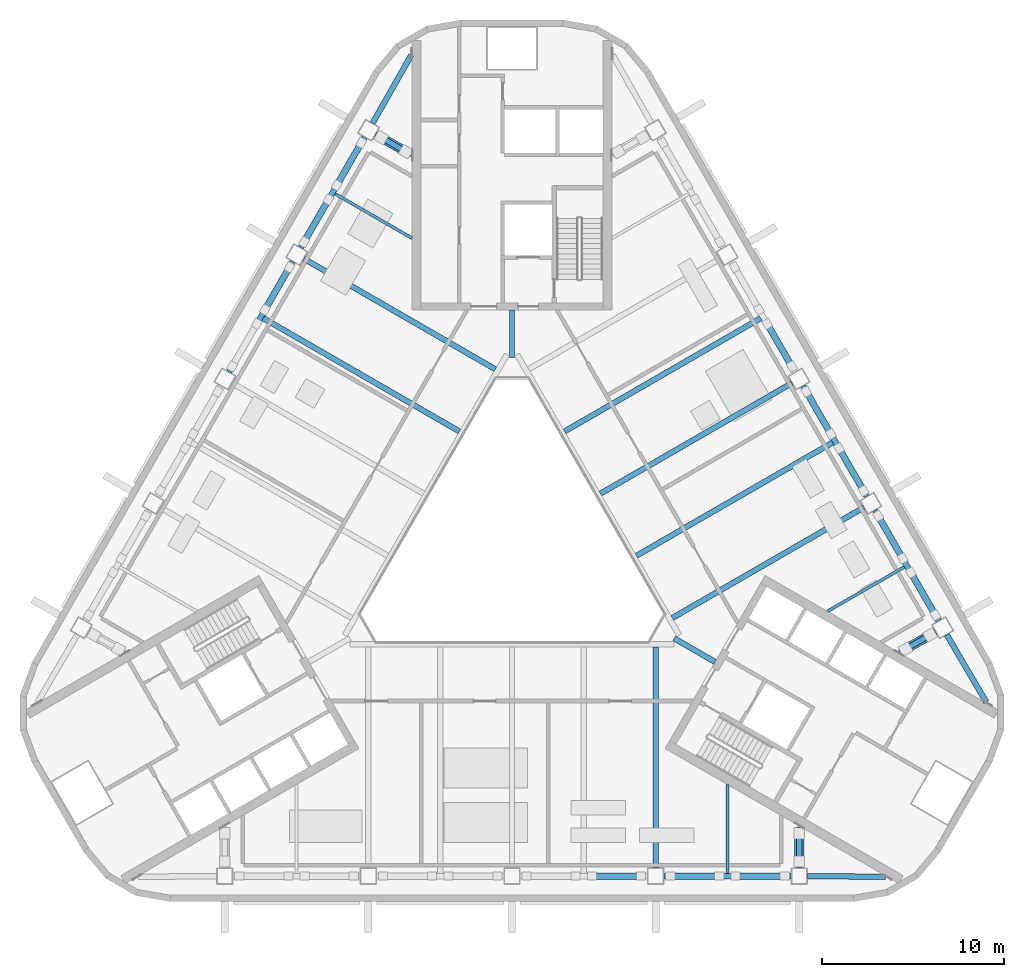
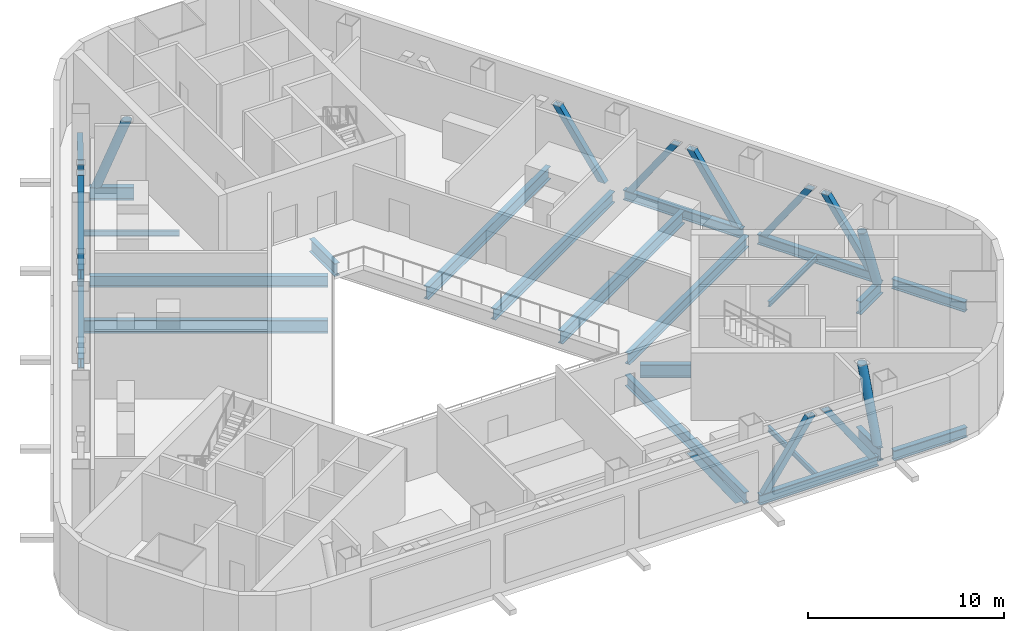
# One storey, part 2 of 15: 25 members, 12 beams.
"""IFC4 building model written with IfcOpenShell, lengths in metres."""

from ifc_helpers import new_model, si_unit, direction, frame, origin, origin_2d, place, context, subcontext, project, spatial, hollow_rectangle, hollow_circle, i_section, extrude, boolean, halfspace, material, material_profile, profile_set, type_object, element, save


model = new_model("IFC4")

# Units and contexts
model_context = context("Model", 3, precision=1e-05, world=origin(), true_north=direction((0.0, 1.0)))
body_context = subcontext(model_context, "Body", "Model", "MODEL_VIEW")
ifc_project = project(units=[si_unit("LENGTHUNIT", "METRE"), si_unit("AREAUNIT", "SQUARE_METRE"), si_unit("VOLUMEUNIT", "CUBIC_METRE"), si_unit("PLANEANGLEUNIT", "RADIAN"), si_unit("MASSUNIT", "GRAM", prefix="KILO")], contexts=[model_context])

# Site, building, storey
site_placement = place(None, origin())
site = spatial("IfcSite", under=ifc_project, at=site_placement, CompositionType="ELEMENT")
building_placement = place(site_placement, origin())
building = spatial("IfcBuilding", under=site, at=building_placement, Name="Apuvela Tower Hotel", CompositionType="ELEMENT")
storey_placement = place(building_placement, frame((0.0, 0.0, 137.60009765625)))
storey = spatial("IfcBuildingStorey", under=building, at=storey_placement, Name="L32 Plant", CompositionType="ELEMENT", Elevation=137.60009765625)

# Beams
ifc_material = material(Name="Steel S355", Category="steel")
ifc_material_profile_1 = material_profile(ifc_material, i_section(OverallWidth=0.300048828125, OverallDepth=0.68994140625, WebThickness=0.014404296875, FlangeThickness=0.027099609375, at=origin_2d()), Name="HE 700 A")
ifc_profile_set_1 = profile_set([ifc_material_profile_1], Name="Steel S355")
beam_type_1 = type_object("IfcBeamType", Name="STR-B floor beam HE 700 A", PredefinedType="BEAM", material=ifc_profile_set_1)
for number, where, z_axis, x_axis, name in (
    (1, (19.347900390625, 2.04833984375, -0.64501953125), (-0.866028751965, -0.499994200737, 0.0), (0.499994200737, -0.866028751965, 0.0), "Floor beam B6 NE3"),
    (2, (15.39794921875, 8.889892578125, -0.64501953125), (-0.866028751965, -0.499994200737, 0.0), (0.499994200737, -0.866028751965, 0.0), "Floor beam B6 NE5"),
):
    element("IfcBeam", number, at=place(storey_placement, frame(where, z_axis=z_axis, x_axis=x_axis)), inside=storey, type_object=beam_type_1, Name=name, PredefinedType="BEAM", context=body_context, shape_type="SweptSolid", body=[
        extrude(i_section(OverallWidth=0.300048828125, OverallDepth=0.68994140625, WebThickness=0.014404296875, FlangeThickness=0.027099609375, at=origin_2d()), origin(), (0.0, 0.0, 1.0), 12.157958984375),
    ])
beam_1_placement = place(storey_placement, frame((-11.447998046875, 15.731689453125, -0.64501953125), z_axis=(0.866025076934, -0.500000566121, 0.0), x_axis=(0.500000566121, 0.866025076934, 0.0)))
element("IfcBeam", 3, at=beam_1_placement, inside=storey, type_object=beam_type_1, Name="Floor beam B6 NW3", PredefinedType="BEAM", context=body_context, shape_type="SweptSolid", body=[
    extrude(i_section(OverallWidth=0.300048828125, OverallDepth=0.68994140625, WebThickness=0.014404296875, FlangeThickness=0.027099609375, at=origin_2d()), origin(), (0.0, 0.0, 1.0), 12.158203125),
])
beam_2_placement = place(storey_placement, frame((7.89990234375, -17.780029296875, -0.64501953125), z_axis=(0.0, 1.0, 0.0), x_axis=(-1.0, 0.0, 0.0)))
element("IfcBeam", 4, at=beam_2_placement, inside=storey, type_object=beam_type_1, Name="Floor beam B6 S7", PredefinedType="BEAM", context=body_context, shape_type="SweptSolid", body=[
    extrude(i_section(OverallWidth=0.300048828125, OverallDepth=0.68994140625, WebThickness=0.014404296875, FlangeThickness=0.027099609375, at=origin_2d()), origin(), (0.0, 0.0, 1.0), 12.157958984375),
])
ifc_material_profile_2 = material_profile(ifc_material, i_section(OverallWidth=0.300048828125, OverallDepth=0.7900390625, WebThickness=0.014892578125, FlangeThickness=0.028076171875, at=origin_2d()), Name="HE 800 A")
ifc_profile_set_2 = profile_set([ifc_material_profile_2], Name="Steel S355")
beam_type_2 = type_object("IfcBeamType", Name="STR-B floor beam HE 800 A", PredefinedType="BEAM", material=ifc_profile_set_2)
beam_3_placement = place(storey_placement, frame((17.630615234375, 5.617919921875, -0.695068359375), z_axis=(-0.866025971963, -0.499999015884, 0.0), x_axis=(0.499999015884, -0.866025971963, 0.0)))
element("IfcBeam", 5, at=beam_3_placement, inside=storey, type_object=beam_type_2, Name="Floor beam B5 NE4", PredefinedType="BEAM", context=body_context, shape_type="SweptSolid", body=[
    extrude(i_section(OverallWidth=0.300048828125, OverallDepth=0.7900390625, WebThickness=0.014892578125, FlangeThickness=0.028076171875, at=origin_2d()), origin(), (0.0, 0.0, 1.0), 12.45556640625),
])
for number, where, z_axis, x_axis, name in (
    (6, (13.6806640625, 12.459716796875, -0.695068359375), (-0.8660174845, -0.500013716352, 0.0), (0.500013716352, -0.8660174845, 0.0), "Floor beam B5 NE6"),
    (7, (-13.6806640625, 12.459716796875, -0.695068359375), (0.8660174845, -0.500013716352, 0.0), (0.500013716352, 0.8660174845, 0.0), "Floor beam B5 NW4"),
):
    element("IfcBeam", number, at=place(storey_placement, frame(where, z_axis=z_axis, x_axis=x_axis)), inside=storey, type_object=beam_type_2, Name=name, PredefinedType="BEAM", context=body_context, shape_type="SweptSolid", body=[
        extrude(i_section(OverallWidth=0.300048828125, OverallDepth=0.7900390625, WebThickness=0.014892578125, FlangeThickness=0.028076171875, at=origin_2d()), origin(), (0.0, 0.0, 1.0), 12.455810546875),
    ])
ifc_material_profile_3 = material_profile(ifc_material, i_section(OverallWidth=0.159912109375, OverallDepth=0.330078125, WebThickness=0.007568359375, FlangeThickness=0.011474609375, at=origin_2d()), Name="IPE 330")
ifc_profile_set_3 = profile_set([ifc_material_profile_3], Name="Steel S355")
beam_type_3 = type_object("IfcBeamType", Name="STR-B floor beam IPE 330", PredefinedType="BEAM", material=ifc_profile_set_3)
beam_4_placement = place(storey_placement, frame((21.58056640625, -1.2236328125, -0.465087890625), z_axis=(-0.866010805854, -0.500025283505, 0.0), x_axis=(0.500025283505, -0.866010805854, 0.0)))
element("IfcBeam", 8, at=beam_4_placement, inside=storey, type_object=beam_type_3, Name="Floor beam B1 NE2", PredefinedType="BEAM", context=body_context, shape_type="SweptSolid", body=[
    extrude(i_section(OverallWidth=0.159912109375, OverallDepth=0.330078125, WebThickness=0.007568359375, FlangeThickness=0.011474609375, at=origin_2d()), origin(), (0.0, 0.0, 1.0), 4.885009765625),
])
beam_5_placement = place(storey_placement, frame((-9.730712890625, 19.30126953125, -0.465087890625), z_axis=(0.866023300691, -0.500003642646, 0.0), x_axis=(0.500003642646, 0.866023300691, 0.0)))
element("IfcBeam", 9, at=beam_5_placement, inside=storey, type_object=beam_type_3, Name="Floor beam B1 NW2", PredefinedType="BEAM", context=body_context, shape_type="SweptSolid", body=[
    extrude(i_section(OverallWidth=0.159912109375, OverallDepth=0.330078125, WebThickness=0.007568359375, FlangeThickness=0.011474609375, at=origin_2d()), origin(), (0.0, 0.0, 1.0), 4.88525390625),
])
beam_6_placement = place(storey_placement, frame((11.85009765625, -18.077392578125, -0.465087890625), z_axis=(0.0, 1.0, 0.0), x_axis=(-1.0, 0.0, 0.0)))
element("IfcBeam", 10, at=beam_6_placement, inside=storey, type_object=beam_type_3, Name="Floor beam B1 S8", PredefinedType="BEAM", context=body_context, shape_type="SweptSolid", body=[
    extrude(i_section(OverallWidth=0.159912109375, OverallDepth=0.330078125, WebThickness=0.007568359375, FlangeThickness=0.011474609375, at=origin_2d()), origin(), (0.0, 0.0, 1.0), 4.885009765625),
])
ifc_material_profile_4 = material_profile(ifc_material, i_section(OverallWidth=0.300048828125, OverallDepth=0.800048828125, WebThickness=0.017578125, FlangeThickness=0.032958984375, at=origin_2d()), Name="HE 800 B")
ifc_profile_set_4 = profile_set([ifc_material_profile_4], Name="Steel S355")
beam_type_4 = type_object("IfcBeamType", Name="STR-GT core tie beam HE 800 B", PredefinedType="BEAM", material=ifc_profile_set_4)
for number, where, z_axis, x_axis, name in (
    (11, (0.0, 12.89990234375, -0.7001953125), (0.0, -1.0, 0.0), (1.0, 0.0, 0.0), "Core tie beam GT1 N"),
    (12, (11.171630859375, -6.449951171875, -0.7001953125), (-0.865997922154, 0.500047596559, 0.0), (-0.500047596559, -0.865997922154, 0.0), "Core tie beam GT1 SE"),
):
    element("IfcBeam", number, at=place(storey_placement, frame(where, z_axis=z_axis, x_axis=x_axis)), inside=storey, type_object=beam_type_4, Name=name, PredefinedType="BEAM", context=body_context, shape_type="SweptSolid", body=[
        extrude(i_section(OverallWidth=0.300048828125, OverallDepth=0.800048828125, WebThickness=0.017578125, FlangeThickness=0.032958984375, at=origin_2d()), origin(), (0.0, 0.0, 1.0), 2.599853515625),
    ])

# Members
ifc_material_profile_5 = material_profile(ifc_material, i_section(OverallWidth=0.304931640625, OverallDepth=0.6201171875, WebThickness=0.02099609375, FlangeThickness=0.0400390625, at=origin_2d()), Name="HE 600 M")
ifc_profile_set_5 = profile_set([ifc_material_profile_5], Name="Steel S355")
member_type_1 = type_object("IfcMemberType", Name="STR-T1 belt truss chord HE 600 M", PredefinedType="CHORD", material=ifc_profile_set_5)
for number, where, z_axis, x_axis, name in (
    (13, (8.35009765625, -18.22998046875, -0.610107421875), (1.0, 0.0, 0.0), (0.0, 1.0, 0.0), "Belt chord BT2 S4"),
    (14, (23.462646484375, -4.178466796875, -0.610107421875), (-0.499995173006, 0.866028190633, 0.0), (-0.866028190633, -0.499995173006, 0.0), "Belt chord BT2 NE1"),
    (15, (19.5126953125, 2.6630859375, -0.610107421875), (-0.499995173006, 0.866028190633, 0.0), (-0.866028190633, -0.499995173006, 0.0), "Belt chord BT2 NE2"),
    (16, (-8.112548828125, 22.408447265625, -0.610107421875), (-0.499995173006, -0.866028190633, 0.0), (0.866028190633, -0.499995173006, 0.0), "Belt chord BT2 NW1"),
    (17, (-12.0625, 15.56689453125, -0.610107421875), (-0.499995173006, -0.866028190633, 0.0), (0.866028190633, -0.499995173006, 0.0), "Belt chord BT2 NW2"),
):
    element("IfcMember", number, at=place(storey_placement, frame(where, z_axis=z_axis, x_axis=x_axis)), inside=storey, type_object=member_type_1, Name=name, PredefinedType="CHORD", context=body_context, shape_type="SweptSolid", body=[
        extrude(i_section(OverallWidth=0.304931640625, OverallDepth=0.6201171875, WebThickness=0.02099609375, FlangeThickness=0.0400390625, at=origin_2d()), origin(), (0.0, 0.0, 1.0), 7.0),
    ])
member_1_placement = place(storey_placement, frame((16.25, -18.233154296875, -0.610107421875), z_axis=(0.999976421641, -0.006867034451, 0.0), x_axis=(0.006867034451, 0.999976421641, 0.0)))
element("IfcMember", 18, at=member_1_placement, inside=storey, type_object=member_type_1, Name="Belt chord BT2 S5-SE", PredefinedType="CHORD", context=body_context, shape_type="SweptSolid", body=[
    extrude(i_section(OverallWidth=0.304931640625, OverallDepth=0.6201171875, WebThickness=0.02099609375, FlangeThickness=0.0400390625, at=origin_2d()), origin(), (0.0, 0.0, 1.0), 4.3017578125),
])
member_2_placement = place(storey_placement, frame((23.915283203125, -4.956298828125, -0.610107421875), z_axis=(0.505940864677, -0.862568166263, 0.0), x_axis=(0.862568166263, 0.505940864677, 0.0)))
element("IfcMember", 19, at=member_2_placement, inside=storey, type_object=member_type_1, Name="Belt chord BT2 NE1-SE", PredefinedType="CHORD", context=body_context, shape_type="SweptSolid", body=[
    extrude(i_section(OverallWidth=0.304931640625, OverallDepth=0.6201171875, WebThickness=0.02099609375, FlangeThickness=0.0400390625, at=origin_2d()), origin(), (0.0, 0.0, 1.0), 4.302001953125),
])
member_3_placement = place(storey_placement, frame((-7.665283203125, 23.189453125, -0.610107421875), z_axis=(0.494028908476, 0.869445477066, 0.0), x_axis=(-0.869445477066, 0.494028908476, 0.0)))
element("IfcMember", 20, at=member_3_placement, inside=storey, type_object=member_type_1, Name="Belt chord BT2 NW1-N", PredefinedType="CHORD", context=body_context, shape_type="SweptSolid", body=[
    extrude(i_section(OverallWidth=0.304931640625, OverallDepth=0.6201171875, WebThickness=0.02099609375, FlangeThickness=0.0400390625, at=origin_2d()), origin(), (0.0, 0.0, 1.0), 4.3017578125),
])
ifc_material_profile_6 = material_profile(ifc_material, hollow_rectangle(XDim=0.35009765625, YDim=0.35009765625, WallThickness=0.01611328125, at=origin_2d()), Name="SHS 350x350x16")
ifc_profile_set_6 = profile_set([ifc_material_profile_6], Name="Steel S355")
member_type_2 = type_object("IfcMemberType", Name="STR-T1 belt truss diagonal SHS 350x350x16", PredefinedType="BRACE", material=ifc_profile_set_6)
member_4_placement = place(storey_placement, frame((7.10009765625, -18.22998046875, -0.300048828125), z_axis=(-0.568261128078, 0.0, 0.822848279038), x_axis=(0.822848279038, 0.0, 0.568261128078)))
solid_1 = boolean("DIFFERENCE", boolean("DIFFERENCE", extrude(hollow_rectangle(XDim=0.35009765625, YDim=0.35009765625, WallThickness=0.01611328125, at=origin_2d()), frame((0.0, 0.0, -0.24072265625)), (0.0, 0.0, 1.0), 5.2333984375), halfspace(frame((0.0, 0.0, 0.024169921875), z_axis=(0.568261128078, 0.0, 0.822848279038), x_axis=(0.822848279038, 0.0, -0.568261128078)), True)), halfspace(frame((0.0, 0.0, 4.7275390625), z_axis=(0.568261128078, 0.0, 0.822848279038), x_axis=(0.822848279038, 0.0, -0.568261128078)), False))
element("IfcMember", 21, at=member_4_placement, inside=storey, type_object=member_type_2, Name="Belt truss diagonal BR2 S3", PredefinedType="BRACE", context=body_context, shape_type="SweptSolid", body=[
    boolean("UNION", boolean("DIFFERENCE", boolean("DIFFERENCE", extrude(hollow_rectangle(XDim=0.35009765625, YDim=0.35009765625, WallThickness=0.01611328125, at=origin_2d()), origin(), (0.0, 0.0, 1.0), 4.751708984375), halfspace(frame((0.0, 0.0, 0.024169921875), z_axis=(0.568261128078, 0.0, 0.822848279038), x_axis=(0.822848279038, 0.0, -0.568261128078)), True)), halfspace(frame((0.0, 0.0, 4.7275390625), z_axis=(0.568261128078, 0.0, 0.822848279038), x_axis=(0.822848279038, 0.0, -0.568261128078)), False)), solid_1),
])
member_5_placement = place(storey_placement, frame((8.699951171875, -18.22998046875, -0.300048828125), z_axis=(0.568226338322, 0.0, 0.822872303846), x_axis=(-0.822872303846, 0.0, 0.568226338322)))
solid_2 = boolean("DIFFERENCE", boolean("DIFFERENCE", extrude(hollow_rectangle(XDim=0.35009765625, YDim=0.35009765625, WallThickness=0.01611328125, at=origin_2d()), frame((0.0, 0.0, -0.24072265625)), (0.0, 0.0, 1.0), 5.233154296875), halfspace(frame((0.0, 0.0, 0.024169921875), z_axis=(0.568226338322, 0.0, 0.822872303846), x_axis=(0.822872303846, 0.0, -0.568226338322)), True)), halfspace(frame((0.0, 0.0, 4.727294921875), z_axis=(0.568226338322, 0.0, 0.822872303846), x_axis=(0.822872303846, 0.0, -0.568226338322)), False))
element("IfcMember", 22, at=member_5_placement, inside=storey, type_object=member_type_2, Name="Belt truss diagonal BR2 S4", PredefinedType="BRACE", context=body_context, shape_type="SweptSolid", body=[
    boolean("UNION", boolean("DIFFERENCE", boolean("DIFFERENCE", extrude(hollow_rectangle(XDim=0.35009765625, YDim=0.35009765625, WallThickness=0.01611328125, at=origin_2d()), origin(), (0.0, 0.0, 1.0), 4.75146484375), halfspace(frame((0.0, 0.0, 0.024169921875), z_axis=(0.568226338322, 0.0, 0.822872303846), x_axis=(0.822872303846, 0.0, -0.568226338322)), True)), halfspace(frame((0.0, 0.0, 4.727294921875), z_axis=(0.568226338322, 0.0, 0.822872303846), x_axis=(0.822872303846, 0.0, -0.568226338322)), False)), solid_2),
])
member_6_placement = place(storey_placement, frame((15.0, -18.22998046875, -0.300048828125), z_axis=(-0.568226338322, 0.0, 0.822872303846), x_axis=(0.822872303846, 0.0, 0.568226338322)))
solid_3 = boolean("DIFFERENCE", boolean("DIFFERENCE", extrude(hollow_rectangle(XDim=0.35009765625, YDim=0.35009765625, WallThickness=0.01611328125, at=origin_2d()), frame((0.0, 0.0, -0.24072265625)), (0.0, 0.0, 1.0), 5.233154296875), halfspace(frame((0.0, 0.0, 0.024169921875), z_axis=(0.568226338322, 0.0, 0.822872303846), x_axis=(0.822872303846, 0.0, -0.568226338322)), True)), halfspace(frame((0.0, 0.0, 4.727294921875), z_axis=(0.568226338322, 0.0, 0.822872303846), x_axis=(0.822872303846, 0.0, -0.568226338322)), False))
element("IfcMember", 23, at=member_6_placement, inside=storey, type_object=member_type_2, Name="Belt truss diagonal BR2 S4", PredefinedType="BRACE", context=body_context, shape_type="SweptSolid", body=[
    boolean("UNION", boolean("DIFFERENCE", boolean("DIFFERENCE", extrude(hollow_rectangle(XDim=0.35009765625, YDim=0.35009765625, WallThickness=0.01611328125, at=origin_2d()), origin(), (0.0, 0.0, 1.0), 4.75146484375), halfspace(frame((0.0, 0.0, 0.024169921875), z_axis=(0.568226338322, 0.0, 0.822872303846), x_axis=(0.822872303846, 0.0, -0.568226338322)), True)), halfspace(frame((0.0, 0.0, 4.727294921875), z_axis=(0.568226338322, 0.0, 0.822872303846), x_axis=(0.822872303846, 0.0, -0.568226338322)), False)), solid_3),
])
member_7_placement = place(storey_placement, frame((23.28759765625, -3.87548828125, -0.300048828125), z_axis=(-0.284132295223, 0.492119190533, 0.822853292586), x_axis=(0.411434409305, -0.712607372934, 0.568253868337)))
solid_4 = boolean("DIFFERENCE", boolean("DIFFERENCE", extrude(hollow_rectangle(XDim=0.35009765625, YDim=0.35009765625, WallThickness=0.01611328125, at=origin_2d()), frame((0.0, 0.0, -0.24072265625)), (0.0, 0.0, 1.0), 5.233154296875), halfspace(frame((0.0, 0.0, 0.024169921875), z_axis=(0.568253868337, 0.0, 0.822853292586), x_axis=(0.822853292586, 0.0, -0.568253868337)), True)), halfspace(frame((0.0, 0.0, 4.727294921875), z_axis=(0.568253868337, 0.0, 0.822853292586), x_axis=(0.822853292586, 0.0, -0.568253868337)), False))
element("IfcMember", 24, at=member_7_placement, inside=storey, type_object=member_type_2, Name="Belt truss diagonal BR2 NE1", PredefinedType="BRACE", context=body_context, shape_type="SweptSolid", body=[
    boolean("UNION", boolean("DIFFERENCE", boolean("DIFFERENCE", extrude(hollow_rectangle(XDim=0.35009765625, YDim=0.35009765625, WallThickness=0.01611328125, at=origin_2d()), origin(), (0.0, 0.0, 1.0), 4.751708984375), halfspace(frame((0.0, 0.0, 0.024169921875), z_axis=(0.568253868337, 0.0, 0.822853292586), x_axis=(0.822853292586, 0.0, -0.568253868337)), True)), halfspace(frame((0.0, 0.0, 4.727294921875), z_axis=(0.568253868337, 0.0, 0.822853292586), x_axis=(0.822853292586, 0.0, -0.568253868337)), False)), solid_4),
])
member_8_placement = place(storey_placement, frame((20.1376953125, 1.58056640625, -0.300048828125), z_axis=(0.284085062007, -0.492126374373, 0.822865304404), x_axis=(-0.411384611104, 0.712649991888, 0.568236474374)))
solid_5 = boolean("DIFFERENCE", boolean("DIFFERENCE", extrude(hollow_rectangle(XDim=0.35009765625, YDim=0.35009765625, WallThickness=0.01611328125, at=origin_2d()), frame((0.0, 0.0, -0.24072265625)), (0.0, 0.0, 1.0), 5.233154296875), halfspace(frame((0.0, 0.0, 0.024169921875), z_axis=(0.568236474374, 0.0, 0.822865304404), x_axis=(0.822865304404, 0.0, -0.568236474374)), True)), halfspace(frame((0.0, 0.0, 4.727294921875), z_axis=(0.568236474374, 0.0, 0.822865304404), x_axis=(0.822865304404, 0.0, -0.568236474374)), False))
element("IfcMember", 25, at=member_8_placement, inside=storey, type_object=member_type_2, Name="Belt truss diagonal BR2 NE1", PredefinedType="BRACE", context=body_context, shape_type="SweptSolid", body=[
    boolean("UNION", boolean("DIFFERENCE", boolean("DIFFERENCE", extrude(hollow_rectangle(XDim=0.35009765625, YDim=0.35009765625, WallThickness=0.01611328125, at=origin_2d()), origin(), (0.0, 0.0, 1.0), 4.75146484375), halfspace(frame((0.0, 0.0, 0.024169921875), z_axis=(0.568236474374, 0.0, 0.822865304404), x_axis=(0.822865304404, 0.0, -0.568236474374)), True)), halfspace(frame((0.0, 0.0, 4.727294921875), z_axis=(0.568236474374, 0.0, 0.822865304404), x_axis=(0.822865304404, 0.0, -0.568236474374)), False)), solid_5),
])
member_9_placement = place(storey_placement, frame((19.337646484375, 2.96630859375, -0.300048828125), z_axis=(-0.284139479452, 0.492080252209, 0.822874098269), x_axis=(0.411477031999, -0.712606787604, 0.568223739734)))
solid_6 = boolean("DIFFERENCE", boolean("DIFFERENCE", extrude(hollow_rectangle(XDim=0.35009765625, YDim=0.35009765625, WallThickness=0.01611328125, at=origin_2d()), frame((0.0, 0.0, -0.24072265625)), (0.0, 0.0, 1.0), 5.233154296875), halfspace(frame((0.0, 0.0, 0.024169921875), z_axis=(0.568223739734, 0.0, 0.822874098269), x_axis=(0.822874098269, 0.0, -0.568223739734)), True)), halfspace(frame((0.0, 0.0, 4.727294921875), z_axis=(0.568223739734, 0.0, 0.822874098269), x_axis=(0.822874098269, 0.0, -0.568223739734)), False))
element("IfcMember", 26, at=member_9_placement, inside=storey, type_object=member_type_2, Name="Belt truss diagonal BR2 NE2", PredefinedType="BRACE", context=body_context, shape_type="SweptSolid", body=[
    boolean("UNION", boolean("DIFFERENCE", boolean("DIFFERENCE", extrude(hollow_rectangle(XDim=0.35009765625, YDim=0.35009765625, WallThickness=0.01611328125, at=origin_2d()), origin(), (0.0, 0.0, 1.0), 4.75146484375), halfspace(frame((0.0, 0.0, 0.024169921875), z_axis=(0.568223739734, 0.0, 0.822874098269), x_axis=(0.822874098269, 0.0, -0.568223739734)), True)), halfspace(frame((0.0, 0.0, 4.727294921875), z_axis=(0.568223739734, 0.0, 0.822874098269), x_axis=(0.822874098269, 0.0, -0.568223739734)), False)), solid_6),
])
member_10_placement = place(storey_placement, frame((16.1875, 8.422119140625, -0.300048828125), z_axis=(0.284139479452, -0.492080252209, 0.822874098269), x_axis=(-0.411477031999, 0.712606787604, 0.568223739734)))
solid_7 = boolean("DIFFERENCE", boolean("DIFFERENCE", extrude(hollow_rectangle(XDim=0.35009765625, YDim=0.35009765625, WallThickness=0.01611328125, at=origin_2d()), frame((0.0, 0.0, -0.24072265625)), (0.0, 0.0, 1.0), 5.233154296875), halfspace(frame((0.0, 0.0, 0.024169921875), z_axis=(0.568223739734, 0.0, 0.822874098269), x_axis=(0.822874098269, 0.0, -0.568223739734)), True)), halfspace(frame((0.0, 0.0, 4.727294921875), z_axis=(0.568223739734, 0.0, 0.822874098269), x_axis=(0.822874098269, 0.0, -0.568223739734)), False))
element("IfcMember", 27, at=member_10_placement, inside=storey, type_object=member_type_2, Name="Belt truss diagonal BR2 NE2", PredefinedType="BRACE", context=body_context, shape_type="SweptSolid", body=[
    boolean("UNION", boolean("DIFFERENCE", boolean("DIFFERENCE", extrude(hollow_rectangle(XDim=0.35009765625, YDim=0.35009765625, WallThickness=0.01611328125, at=origin_2d()), origin(), (0.0, 0.0, 1.0), 4.75146484375), halfspace(frame((0.0, 0.0, 0.024169921875), z_axis=(0.568223739734, 0.0, 0.822874098269), x_axis=(0.822874098269, 0.0, -0.568223739734)), True)), halfspace(frame((0.0, 0.0, 4.727294921875), z_axis=(0.568223739734, 0.0, 0.822874098269), x_axis=(0.822874098269, 0.0, -0.568223739734)), False)), solid_7),
])
member_11_placement = place(storey_placement, frame((15.3876953125, 9.807861328125, -0.300048828125), z_axis=(-0.284139479452, 0.492080252209, 0.822874098269), x_axis=(0.411477031999, -0.712606787604, 0.568223739734)))
solid_8 = boolean("DIFFERENCE", boolean("DIFFERENCE", extrude(hollow_rectangle(XDim=0.35009765625, YDim=0.35009765625, WallThickness=0.01611328125, at=origin_2d()), frame((0.0, 0.0, -0.24072265625)), (0.0, 0.0, 1.0), 5.233154296875), halfspace(frame((0.0, 0.0, 0.024169921875), z_axis=(0.568223739734, 0.0, 0.822874098269), x_axis=(0.822874098269, 0.0, -0.568223739734)), True)), halfspace(frame((0.0, 0.0, 4.727294921875), z_axis=(0.568223739734, 0.0, 0.822874098269), x_axis=(0.822874098269, 0.0, -0.568223739734)), False))
element("IfcMember", 28, at=member_11_placement, inside=storey, type_object=member_type_2, Name="Belt truss diagonal BR2 NE3", PredefinedType="BRACE", context=body_context, shape_type="SweptSolid", body=[
    boolean("UNION", boolean("DIFFERENCE", boolean("DIFFERENCE", extrude(hollow_rectangle(XDim=0.35009765625, YDim=0.35009765625, WallThickness=0.01611328125, at=origin_2d()), origin(), (0.0, 0.0, 1.0), 4.75146484375), halfspace(frame((0.0, 0.0, 0.024169921875), z_axis=(0.568223739734, 0.0, 0.822874098269), x_axis=(0.822874098269, 0.0, -0.568223739734)), True)), halfspace(frame((0.0, 0.0, 4.727294921875), z_axis=(0.568223739734, 0.0, 0.822874098269), x_axis=(0.822874098269, 0.0, -0.568223739734)), False)), solid_8),
])
member_12_placement = place(storey_placement, frame((-8.28759765625, 22.10546875, -0.300048828125), z_axis=(-0.284132295223, -0.492119190533, 0.822853292586), x_axis=(0.411434409305, 0.712607372934, 0.568253868337)))
solid_9 = boolean("DIFFERENCE", boolean("DIFFERENCE", extrude(hollow_rectangle(XDim=0.35009765625, YDim=0.35009765625, WallThickness=0.01611328125, at=origin_2d()), frame((0.0, 0.0, -0.24072265625)), (0.0, 0.0, 1.0), 5.233154296875), halfspace(frame((0.0, 0.0, 0.024169921875), z_axis=(0.568253868337, 0.0, 0.822853292586), x_axis=(0.822853292586, 0.0, -0.568253868337)), True)), halfspace(frame((0.0, 0.0, 4.727294921875), z_axis=(0.568253868337, 0.0, 0.822853292586), x_axis=(0.822853292586, 0.0, -0.568253868337)), False))
element("IfcMember", 29, at=member_12_placement, inside=storey, type_object=member_type_2, Name="Belt truss diagonal BR2 NW1", PredefinedType="BRACE", context=body_context, shape_type="SweptSolid", body=[
    boolean("UNION", boolean("DIFFERENCE", boolean("DIFFERENCE", extrude(hollow_rectangle(XDim=0.35009765625, YDim=0.35009765625, WallThickness=0.01611328125, at=origin_2d()), origin(), (0.0, 0.0, 1.0), 4.751708984375), halfspace(frame((0.0, 0.0, 0.024169921875), z_axis=(0.568253868337, 0.0, 0.822853292586), x_axis=(0.822853292586, 0.0, -0.568253868337)), True)), halfspace(frame((0.0, 0.0, 4.727294921875), z_axis=(0.568253868337, 0.0, 0.822853292586), x_axis=(0.822853292586, 0.0, -0.568253868337)), False)), solid_9),
])
member_13_placement = place(storey_placement, frame((-11.4375, 16.6494140625, -0.300048828125), z_axis=(0.284085062007, 0.492126374373, 0.822865304404), x_axis=(-0.411384611104, -0.712649991888, 0.568236474374)))
solid_10 = boolean("DIFFERENCE", boolean("DIFFERENCE", extrude(hollow_rectangle(XDim=0.35009765625, YDim=0.35009765625, WallThickness=0.01611328125, at=origin_2d()), frame((0.0, 0.0, -0.24072265625)), (0.0, 0.0, 1.0), 5.233154296875), halfspace(frame((0.0, 0.0, 0.024169921875), z_axis=(0.568236474374, 0.0, 0.822865304404), x_axis=(0.822865304404, 0.0, -0.568236474374)), True)), halfspace(frame((0.0, 0.0, 4.727294921875), z_axis=(0.568236474374, 0.0, 0.822865304404), x_axis=(0.822865304404, 0.0, -0.568236474374)), False))
element("IfcMember", 30, at=member_13_placement, inside=storey, type_object=member_type_2, Name="Belt truss diagonal BR2 NW1", PredefinedType="BRACE", context=body_context, shape_type="SweptSolid", body=[
    boolean("UNION", boolean("DIFFERENCE", boolean("DIFFERENCE", extrude(hollow_rectangle(XDim=0.35009765625, YDim=0.35009765625, WallThickness=0.01611328125, at=origin_2d()), origin(), (0.0, 0.0, 1.0), 4.75146484375), halfspace(frame((0.0, 0.0, 0.024169921875), z_axis=(0.568236474374, 0.0, 0.822865304404), x_axis=(0.822865304404, 0.0, -0.568236474374)), True)), halfspace(frame((0.0, 0.0, 4.727294921875), z_axis=(0.568236474374, 0.0, 0.822865304404), x_axis=(0.822865304404, 0.0, -0.568236474374)), False)), solid_10),
])
member_14_placement = place(storey_placement, frame((-12.237548828125, 15.263916015625, -0.300048828125), z_axis=(-0.284132295223, -0.492119190533, 0.822853292586), x_axis=(0.411434409305, 0.712607372934, 0.568253868337)))
solid_11 = boolean("DIFFERENCE", boolean("DIFFERENCE", extrude(hollow_rectangle(XDim=0.35009765625, YDim=0.35009765625, WallThickness=0.01611328125, at=origin_2d()), frame((0.0, 0.0, -0.24072265625)), (0.0, 0.0, 1.0), 5.233154296875), halfspace(frame((0.0, 0.0, 0.024169921875), z_axis=(0.568253868337, 0.0, 0.822853292586), x_axis=(0.822853292586, 0.0, -0.568253868337)), True)), halfspace(frame((0.0, 0.0, 4.727294921875), z_axis=(0.568253868337, 0.0, 0.822853292586), x_axis=(0.822853292586, 0.0, -0.568253868337)), False))
element("IfcMember", 31, at=member_14_placement, inside=storey, type_object=member_type_2, Name="Belt truss diagonal BR2 NW2", PredefinedType="BRACE", context=body_context, shape_type="SweptSolid", body=[
    boolean("UNION", boolean("DIFFERENCE", boolean("DIFFERENCE", extrude(hollow_rectangle(XDim=0.35009765625, YDim=0.35009765625, WallThickness=0.01611328125, at=origin_2d()), origin(), (0.0, 0.0, 1.0), 4.751708984375), halfspace(frame((0.0, 0.0, 0.024169921875), z_axis=(0.568253868337, 0.0, 0.822853292586), x_axis=(0.822853292586, 0.0, -0.568253868337)), True)), halfspace(frame((0.0, 0.0, 4.727294921875), z_axis=(0.568253868337, 0.0, 0.822853292586), x_axis=(0.822853292586, 0.0, -0.568253868337)), False)), solid_11),
])
ifc_material_profile_7 = material_profile(ifc_material, i_section(OverallWidth=0.302978515625, OverallDepth=0.81396484375, WebThickness=0.02099609375, FlangeThickness=0.0400390625, at=origin_2d()), Name="HE 800 M")
ifc_profile_set_7 = profile_set([ifc_material_profile_7], Name="Steel S355")
member_type_3 = type_object("IfcMemberType", Name="STR-T1 outrigger truss chord HE 800 M", PredefinedType="CHORD", material=ifc_profile_set_7)
for number, where, z_axis, x_axis, name in (
    (32, (23.2978515625, -4.793212890625, -0.70703125), (-0.866014732592, -0.500018482592, 0.0), (0.500018482592, -0.866014732592, 0.0), "Outrigger chord OC2 NE1"),
    (33, (-7.497802734375, 22.5732421875, -0.70703125), (0.866014732592, -0.500018482592, 0.0), (0.500018482592, 0.866014732592, 0.0), "Outrigger chord OC2 NW1"),
    (34, (15.800048828125, -17.780029296875, -0.70703125), (0.0, 1.0, 0.0), (-1.0, 0.0, 0.0), "Outrigger chord OC2 S5"),
):
    element("IfcMember", number, at=place(storey_placement, frame(where, z_axis=z_axis, x_axis=x_axis)), inside=storey, type_object=member_type_3, Name=name, PredefinedType="CHORD", context=body_context, shape_type="SweptSolid", body=[
        extrude(i_section(OverallWidth=0.302978515625, OverallDepth=0.81396484375, WebThickness=0.02099609375, FlangeThickness=0.0400390625, at=origin_2d()), origin(), (0.0, 0.0, 1.0), 2.2607421875),
    ])
ifc_material_profile_8 = material_profile(ifc_material, hollow_circle(Radius=0.25390625, WallThickness=0.02001953125, at=origin_2d()), Name="CHS 508x20")
ifc_profile_set_8 = profile_set([ifc_material_profile_8], Name="Steel S355")
member_type_4 = type_object("IfcMemberType", Name="STR-T1 outrigger truss diagonal CHS 508x20", PredefinedType="BRACE", material=ifc_profile_set_8)
member_15_placement = place(storey_placement, frame((22.994873046875, -4.96826171875, -0.300048828125), z_axis=(-0.303608504902, -0.175245219734, 0.936542037877), x_axis=(0.811119204521, 0.468184391846, 0.350555289917)))
solid_12 = boolean("DIFFERENCE", boolean("DIFFERENCE", extrude(hollow_circle(Radius=0.25390625, WallThickness=0.02001953125, at=origin_2d()), frame((0.0, 0.0, -0.215087890625)), (0.0, 0.0, 1.0), 4.882568359375), halfspace(frame((0.0, 0.0, 0.021240234375), z_axis=(0.350555289917, 0.0, 0.936542037877), x_axis=(0.936542037877, 0.0, -0.350555289917)), True)), halfspace(frame((0.0, 0.0, 4.43115234375), z_axis=(0.350555289917, 0.0, 0.936542037877), x_axis=(0.936542037877, 0.0, -0.350555289917)), False))
element("IfcMember", 35, at=member_15_placement, inside=storey, type_object=member_type_4, Name="Outrigger diagonal OD2 NE1", PredefinedType="BRACE", context=body_context, shape_type="SweptSolid", body=[
    boolean("UNION", boolean("DIFFERENCE", boolean("DIFFERENCE", extrude(hollow_circle(Radius=0.25390625, WallThickness=0.02001953125, at=origin_2d()), origin(), (0.0, 0.0, 1.0), 4.452392578125), halfspace(frame((0.0, 0.0, 0.021240234375), z_axis=(0.350555289917, 0.0, 0.936542037877), x_axis=(0.936542037877, 0.0, -0.350555289917)), True)), halfspace(frame((0.0, 0.0, 4.43115234375), z_axis=(0.350555289917, 0.0, 0.936542037877), x_axis=(0.936542037877, 0.0, -0.350555289917)), False)), solid_12),
])
member_16_placement = place(storey_placement, frame((-7.19482421875, 22.398193359375, -0.300048828125), z_axis=(0.303608504902, -0.175245219734, 0.936542037877), x_axis=(-0.811119204521, 0.468184391846, 0.350555289917)))
solid_13 = boolean("DIFFERENCE", boolean("DIFFERENCE", extrude(hollow_circle(Radius=0.25390625, WallThickness=0.02001953125, at=origin_2d()), frame((0.0, 0.0, -0.215087890625)), (0.0, 0.0, 1.0), 4.882568359375), halfspace(frame((0.0, 0.0, 0.021240234375), z_axis=(0.350555289917, 0.0, 0.936542037877), x_axis=(0.936542037877, 0.0, -0.350555289917)), True)), halfspace(frame((0.0, 0.0, 4.43115234375), z_axis=(0.350555289917, 0.0, 0.936542037877), x_axis=(0.936542037877, 0.0, -0.350555289917)), False))
element("IfcMember", 36, at=member_16_placement, inside=storey, type_object=member_type_4, Name="Outrigger diagonal OD2 NW1", PredefinedType="BRACE", context=body_context, shape_type="SweptSolid", body=[
    boolean("UNION", boolean("DIFFERENCE", boolean("DIFFERENCE", extrude(hollow_circle(Radius=0.25390625, WallThickness=0.02001953125, at=origin_2d()), origin(), (0.0, 0.0, 1.0), 4.452392578125), halfspace(frame((0.0, 0.0, 0.021240234375), z_axis=(0.350555289917, 0.0, 0.936542037877), x_axis=(0.936542037877, 0.0, -0.350555289917)), True)), halfspace(frame((0.0, 0.0, 4.43115234375), z_axis=(0.350555289917, 0.0, 0.936542037877), x_axis=(0.936542037877, 0.0, -0.350555289917)), False)), solid_13),
])
member_17_placement = place(storey_placement, frame((15.800048828125, -17.429931640625, -0.300048828125), z_axis=(0.0, 0.350546503168, 0.936545326782), x_axis=(0.0, -0.936545326782, 0.350546503168)))
solid_14 = boolean("DIFFERENCE", boolean("DIFFERENCE", extrude(hollow_circle(Radius=0.25390625, WallThickness=0.02001953125, at=origin_2d()), frame((0.0, 0.0, -0.215087890625)), (0.0, 0.0, 1.0), 4.882568359375), halfspace(frame((0.0, 0.0, 0.021240234375), z_axis=(0.350546503168, 0.0, 0.936545326782), x_axis=(0.936545326782, 0.0, -0.350546503168)), True)), halfspace(frame((0.0, 0.0, 4.43115234375), z_axis=(0.350546503168, 0.0, 0.936545326782), x_axis=(0.936545326782, 0.0, -0.350546503168)), False))
element("IfcMember", 37, at=member_17_placement, inside=storey, type_object=member_type_4, Name="Outrigger diagonal OD2 S5", PredefinedType="BRACE", context=body_context, shape_type="SweptSolid", body=[
    boolean("UNION", boolean("DIFFERENCE", boolean("DIFFERENCE", extrude(hollow_circle(Radius=0.25390625, WallThickness=0.02001953125, at=origin_2d()), origin(), (0.0, 0.0, 1.0), 4.452392578125), halfspace(frame((0.0, 0.0, 0.021240234375), z_axis=(0.350546503168, 0.0, 0.936545326782), x_axis=(0.936545326782, 0.0, -0.350546503168)), True)), halfspace(frame((0.0, 0.0, 4.43115234375), z_axis=(0.350546503168, 0.0, 0.936545326782), x_axis=(0.936545326782, 0.0, -0.350546503168)), False)), solid_14),
])

save(model, "model.ifc")
